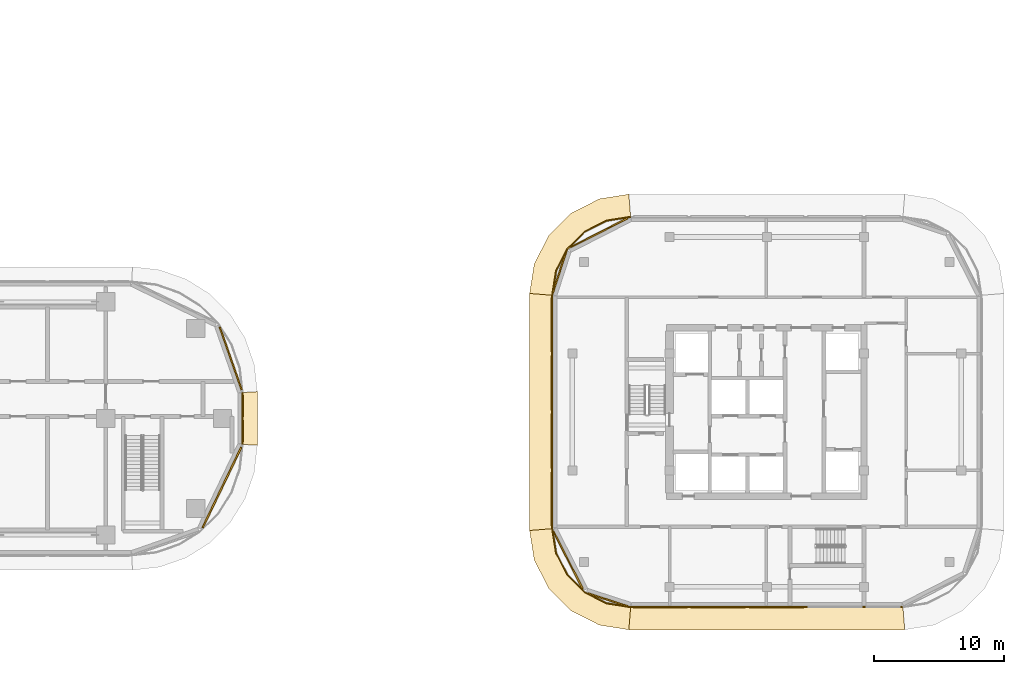
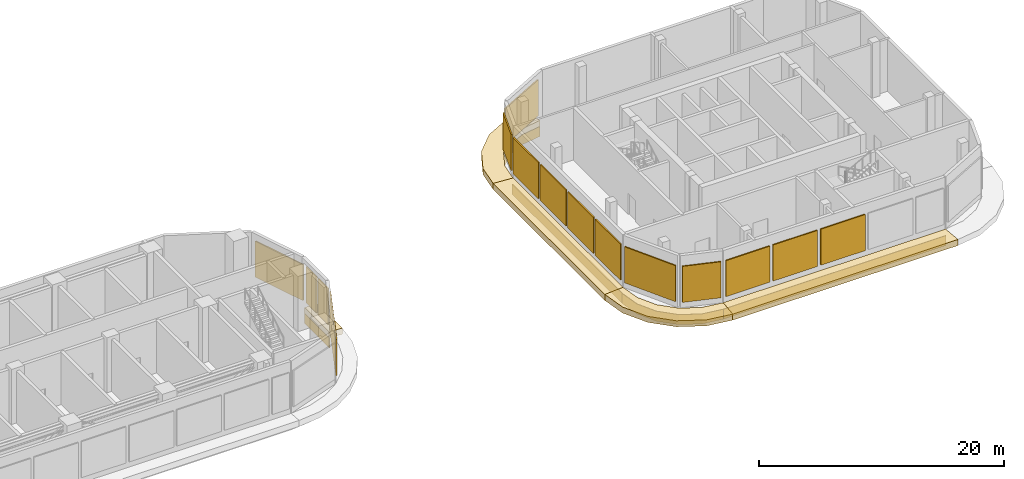
# One storey, part 21 of 23: 15 shading devices, 10 coverings.
"""IFC4 building model written with IfcOpenShell, lengths in metres."""

from ifc_helpers import new_model, si_unit, direction, frame, origin, origin_2d, place, context, subcontext, project, spatial, polyline, rectangle, outline, extrude, material, layer, layer_set, type_object, element, save


model = new_model("IFC4")

# Units and contexts
model_context = context("Model", 3, precision=1e-05, world=origin(), true_north=direction((0.0, 1.0)))
body_context = subcontext(model_context, "Body", "Model", "MODEL_VIEW")
ifc_project = project(units=[si_unit("LENGTHUNIT", "METRE"), si_unit("AREAUNIT", "SQUARE_METRE"), si_unit("VOLUMEUNIT", "CUBIC_METRE"), si_unit("PLANEANGLEUNIT", "RADIAN"), si_unit("MASSUNIT", "GRAM", prefix="KILO")], contexts=[model_context])

# Site, building, storey
site_placement = place(None, origin())
site = spatial("IfcSite", under=ifc_project, at=site_placement, CompositionType="ELEMENT")
building_placement = place(site_placement, origin())
building = spatial("IfcBuilding", under=site, at=building_placement, Name="Ogive Portal Towers", CompositionType="ELEMENT")
storey_placement = place(building_placement, frame((0.0, 0.0, 81.60009765625)))
storey = spatial("IfcBuildingStorey", under=building, at=storey_placement, Name="L19", CompositionType="ELEMENT", Elevation=81.60009765625)

# Shading devices
ifc_material_1 = material(Name="Aluminium 6063 anodised", Category="aluminium")
ifc_layer_1 = layer(ifc_material_1, 0.1201171875)
ifc_layer_set_1 = layer_set([ifc_layer_1], Name="LOUVRE BANK ALUMINIUM")
shading_device_type = type_object("IfcShadingDeviceType", Name="LOUVRE BANK ALUMINIUM", PredefinedType="USERDEFINED", material=ifc_layer_set_1)
shading_device_1_placement = place(storey_placement, frame((94.466064453125, 25.17626953125, 0.599853515625), z_axis=(0.0, 0.0, 1.0), x_axis=(0.433883739113, 0.900968867905, 0.0)))
element("IfcShadingDevice", 1, at=shading_device_1_placement, inside=storey, type_object=shading_device_type, Name="Louvre bank 1", ObjectType="LOUVRE", PredefinedType="USERDEFINED", context=body_context, shape_type="SweptSolid", body=[
    extrude(rectangle(XDim=6.88330078125, YDim=0.1201171875, at=origin_2d()), origin(), (0.0, 0.0, 1.0), 3.60009765625),
])
shading_device_2_placement = place(storey_placement, frame((96.06005859375, 29.5341796875, 0.599853515625), z_axis=(0.0, 0.0, 1.0), x_axis=(0.0, 1.0, 0.0)))
element("IfcShadingDevice", 2, at=shading_device_2_placement, inside=storey, type_object=shading_device_type, Name="Louvre bank 1", ObjectType="LOUVRE", PredefinedType="USERDEFINED", context=body_context, shape_type="SweptSolid", body=[
    extrude(rectangle(XDim=1.631591796875, YDim=0.1201171875, at=origin_2d()), origin(), (0.0, 0.0, 1.0), 3.60009765625),
])
shading_device_3_placement = place(storey_placement, frame((96.06005859375, 31.474609375, 0.599853515625), z_axis=(0.0, 0.0, 1.0), x_axis=(0.0, 1.0, 0.0)))
element("IfcShadingDevice", 3, at=shading_device_3_placement, inside=storey, type_object=shading_device_type, Name="Louvre bank 2", ObjectType="LOUVRE", PredefinedType="USERDEFINED", context=body_context, shape_type="SweptSolid", body=[
    extrude(rectangle(XDim=1.64892578125, YDim=0.1201171875, at=origin_2d()), origin(), (0.0, 0.0, 1.0), 3.60009765625),
])
shading_device_4_placement = place(storey_placement, frame((95.1416015625, 35.135009765625, 0.599853515625), z_axis=(0.0, 0.0, 1.0), x_axis=(-0.33027906196, 0.943883330307, 0.0)))
element("IfcShadingDevice", 4, at=shading_device_4_placement, inside=storey, type_object=shading_device_type, Name="Louvre bank 1", ObjectType="LOUVRE", PredefinedType="USERDEFINED", context=body_context, shape_type="SweptSolid", body=[
    extrude(rectangle(XDim=5.139404296875, YDim=0.1201171875, at=origin_2d()), origin(), (0.0, 0.0, 1.0), 3.60009765625),
])
shading_device_5_placement = place(storey_placement, frame((121.17138671875, 19.569091796875, 0.599853515625), z_axis=(0.0, 0.0, 1.0), x_axis=(0.45399049974, -0.891006524188, 0.0)))
element("IfcShadingDevice", 5, at=shading_device_5_placement, inside=storey, type_object=shading_device_type, Name="Louvre bank 1", ObjectType="LOUVRE", PredefinedType="USERDEFINED", context=body_context, shape_type="SweptSolid", body=[
    extrude(rectangle(XDim=4.95166015625, YDim=0.1201171875, at=origin_2d()), origin(), (0.0, 0.0, 1.0), 3.60009765625),
])
shading_device_6_placement = place(storey_placement, frame((124.254638671875, 16.50390625, 0.599853515625), z_axis=(0.0, 0.0, 1.0), x_axis=(0.951056516295, -0.309016994375, 0.0)))
element("IfcShadingDevice", 6, at=shading_device_6_placement, inside=storey, type_object=shading_device_type, Name="Louvre bank 1", ObjectType="LOUVRE", PredefinedType="USERDEFINED", context=body_context, shape_type="SweptSolid", body=[
    extrude(rectangle(XDim=3.236328125, YDim=0.1201171875, at=origin_2d()), origin(), (0.0, 0.0, 1.0), 3.60009765625),
])
shading_device_7_placement = place(storey_placement, frame((128.273681640625, 15.93994140625, 0.599853515625), z_axis=(0.0, 0.0, 1.0), x_axis=(1.0, 0.0, 0.0)))
element("IfcShadingDevice", 7, at=shading_device_7_placement, inside=storey, type_object=shading_device_type, Name="Louvre bank 1", ObjectType="LOUVRE", PredefinedType="USERDEFINED", context=body_context, shape_type="SweptSolid", body=[
    extrude(rectangle(XDim=4.152587890625, YDim=0.1201171875, at=origin_2d()), origin(), (0.0, 0.0, 1.0), 3.60009765625),
])
for number, where, z_axis, x_axis, name in (
    (8, (132.75, 15.93994140625, 0.599853515625), (0.0, 0.0, 1.0), (1.0, 0.0, 0.0), "Louvre bank 2"),
    (9, (137.25, 15.93994140625, 0.599853515625), (0.0, 0.0, 1.0), (1.0, 0.0, 0.0), "Louvre bank 3"),
):
    element("IfcShadingDevice", number, at=place(storey_placement, frame(where, z_axis=z_axis, x_axis=x_axis)), inside=storey, type_object=shading_device_type, Name=name, ObjectType="LOUVRE", PredefinedType="USERDEFINED", context=body_context, shape_type="SweptSolid", body=[
        extrude(rectangle(XDim=4.199951171875, YDim=0.1201171875, at=origin_2d()), origin(), (0.0, 0.0, 1.0), 3.60009765625),
    ])
shading_device_8_placement = place(storey_placement, frame((123.569091796875, 44.82861328125, 0.599853515625), z_axis=(0.0, 0.0, 1.0), x_axis=(-0.891006524188, -0.45399049974, 0.0)))
element("IfcShadingDevice", 10, at=shading_device_8_placement, inside=storey, type_object=shading_device_type, Name="Louvre bank 1", ObjectType="LOUVRE", PredefinedType="USERDEFINED", context=body_context, shape_type="SweptSolid", body=[
    extrude(rectangle(XDim=4.95166015625, YDim=0.1201171875, at=origin_2d()), origin(), (0.0, 0.0, 1.0), 3.60009765625),
])
shading_device_9_placement = place(storey_placement, frame((120.50390625, 41.745361328125, 0.599853515625), z_axis=(0.0, 0.0, 1.0), x_axis=(-0.309016994375, -0.951056516295, 0.0)))
element("IfcShadingDevice", 11, at=shading_device_9_placement, inside=storey, type_object=shading_device_type, Name="Louvre bank 1", ObjectType="LOUVRE", PredefinedType="USERDEFINED", context=body_context, shape_type="SweptSolid", body=[
    extrude(rectangle(XDim=3.236328125, YDim=0.1201171875, at=origin_2d()), origin(), (0.0, 0.0, 1.0), 3.60009765625),
])
shading_device_10_placement = place(storey_placement, frame((119.93994140625, 37.726318359375, 0.599853515625), z_axis=(0.0, 0.0, 1.0), x_axis=(0.0, -1.0, 0.0)))
element("IfcShadingDevice", 12, at=shading_device_10_placement, inside=storey, type_object=shading_device_type, Name="Louvre bank 1", ObjectType="LOUVRE", PredefinedType="USERDEFINED", context=body_context, shape_type="SweptSolid", body=[
    extrude(rectangle(XDim=4.152587890625, YDim=0.1201171875, at=origin_2d()), origin(), (0.0, 0.0, 1.0), 3.60009765625),
])
for number, where, z_axis, x_axis, name in (
    (13, (119.93994140625, 33.25, 0.599853515625), (0.0, 0.0, 1.0), (0.0, -1.0, 0.0), "Louvre bank 2"),
    (14, (119.93994140625, 28.75, 0.599853515625), (0.0, 0.0, 1.0), (0.0, -1.0, 0.0), "Louvre bank 3"),
):
    element("IfcShadingDevice", number, at=place(storey_placement, frame(where, z_axis=z_axis, x_axis=x_axis)), inside=storey, type_object=shading_device_type, Name=name, ObjectType="LOUVRE", PredefinedType="USERDEFINED", context=body_context, shape_type="SweptSolid", body=[
        extrude(rectangle(XDim=4.199951171875, YDim=0.1201171875, at=origin_2d()), origin(), (0.0, 0.0, 1.0), 3.60009765625),
    ])
shading_device_11_placement = place(storey_placement, frame((119.93994140625, 24.2861328125, 0.599853515625), z_axis=(0.0, 0.0, 1.0), x_axis=(0.0, -1.0, 0.0)))
element("IfcShadingDevice", 15, at=shading_device_11_placement, inside=storey, type_object=shading_device_type, Name="Louvre bank 4", ObjectType="LOUVRE", PredefinedType="USERDEFINED", context=body_context, shape_type="SweptSolid", body=[
    extrude(rectangle(XDim=4.1279296875, YDim=0.1201171875, at=origin_2d()), origin(), (0.0, 0.0, 1.0), 3.60009765625),
])

# Coverings
ifc_material_2 = material(Name="Limestone cladding on lightweight block wall", Category="masonry")
ifc_layer_2 = layer(ifc_material_2, 0.080078125)
ifc_layer_set_2 = layer_set([ifc_layer_2], Name="STONE SPANDREL 80")
covering_type_1 = type_object("IfcCoveringType", Name="STONE SPANDREL 80", PredefinedType="CLADDING", material=ifc_layer_set_2)
covering_1_placement = place(storey_placement, frame((0.0, 0.0, -1.60009765625)))
element("IfcCovering", 16, at=covering_1_placement, inside=storey, type_object=covering_type_1, Name="Stone spandrel A1-F07", PredefinedType="CLADDING", context=body_context, shape_type="SweptSolid", body=[
    extrude(outline(polyline([(96.0, 28.5), (96.0, 32.5), (96.080078125, 32.50439453125), (96.080078125, 28.49560546875), (96.0, 28.5)])), origin(), (0.0, 0.0, 1.0), 1.0),
])
covering_2_placement = place(storey_placement, frame((0.0, 0.0, -1.60009765625)))
element("IfcCovering", 17, at=covering_2_placement, inside=storey, type_object=covering_type_1, Name="Stone spandrel B1-F01", PredefinedType="CLADDING", context=body_context, shape_type="SweptSolid", body=[
    extrude(outline(polyline([(120.0, 22.0), (120.293701171875, 20.14599609375), (121.14599609375, 18.473388671875), (122.473388671875, 17.14599609375), (124.14599609375, 16.293701171875), (126.0, 16.0), (125.99365234375, 15.919921875), (124.120849609375, 16.216552734375), (122.42578125, 17.080322265625), (121.080322265625, 18.42578125), (120.216552734375, 20.120849609375), (119.919921875, 21.99365234375), (120.0, 22.0)])), origin(), (0.0, 0.0, 1.0), 1.0),
])
covering_3_placement = place(storey_placement, frame((0.0, 0.0, -1.60009765625)))
element("IfcCovering", 18, at=covering_3_placement, inside=storey, type_object=covering_type_1, Name="Stone spandrel B1-F02", PredefinedType="CLADDING", context=body_context, shape_type="SweptSolid", body=[
    extrude(outline(polyline([(126.0, 16.0), (147.0, 16.0), (147.00634765625, 15.919921875), (125.99365234375, 15.919921875), (126.0, 16.0)])), origin(), (0.0, 0.0, 1.0), 1.0),
])
covering_4_placement = place(storey_placement, frame((0.0, 0.0, -1.60009765625)))
element("IfcCovering", 19, at=covering_4_placement, inside=storey, type_object=covering_type_1, Name="Stone spandrel B1-F07", PredefinedType="CLADDING", context=body_context, shape_type="SweptSolid", body=[
    extrude(outline(polyline([(126.0, 46.0), (124.14599609375, 45.706298828125), (122.473388671875, 44.85400390625), (121.14599609375, 43.526611328125), (120.293701171875, 41.85400390625), (120.0, 40.0), (119.919921875, 40.00634765625), (120.216552734375, 41.879150390625), (121.080322265625, 43.57421875), (122.42578125, 44.919677734375), (124.120849609375, 45.783447265625), (125.99365234375, 46.080078125), (126.0, 46.0)])), origin(), (0.0, 0.0, 1.0), 1.0),
])
covering_5_placement = place(storey_placement, frame((0.0, 0.0, -1.60009765625)))
element("IfcCovering", 20, at=covering_5_placement, inside=storey, type_object=covering_type_1, Name="Stone spandrel B1-F08", PredefinedType="CLADDING", context=body_context, shape_type="SweptSolid", body=[
    extrude(outline(polyline([(120.0, 40.0), (120.0, 22.0), (119.919921875, 21.99365234375), (119.919921875, 40.00634765625), (120.0, 40.0)])), origin(), (0.0, 0.0, 1.0), 1.0),
])
ifc_layer_3 = layer(ifc_material_2, 0.60009765625)
ifc_layer_set_3 = layer_set([ifc_layer_3], Name="SUNSHADE LIP 600")
covering_type_2 = type_object("IfcCoveringType", Name="SUNSHADE LIP 600", PredefinedType="CLADDING", material=ifc_layer_set_3)
covering_6_placement = place(storey_placement, frame((0.0, 0.0, -0.60009765625)))
element("IfcCovering", 21, at=covering_6_placement, inside=storey, type_object=covering_type_2, Name="Sunshade lip A1-F07", PredefinedType="CLADDING", context=body_context, shape_type="SweptSolid", body=[
    extrude(outline(polyline([(96.0, 28.5), (96.0, 32.5), (97.199951171875, 32.5673828125), (97.199951171875, 28.4326171875), (96.0, 28.5)])), origin(), (0.0, 0.0, 1.0), 0.60009765625),
])
covering_7_placement = place(storey_placement, frame((0.0, 0.0, -0.60009765625)))
element("IfcCovering", 22, at=covering_7_placement, inside=storey, type_object=covering_type_2, Name="Sunshade lip B1-F01", PredefinedType="CLADDING", context=body_context, shape_type="SweptSolid", body=[
    extrude(outline(polyline([(120.0, 22.0), (120.293701171875, 20.14599609375), (121.14599609375, 18.473388671875), (122.473388671875, 17.14599609375), (124.14599609375, 16.293701171875), (126.0, 16.0), (125.8583984375, 14.199951171875), (123.582763671875, 14.560302734375), (121.402099609375, 15.671630859375), (119.671630859375, 17.402099609375), (118.560302734375, 19.582763671875), (118.199951171875, 21.8583984375), (120.0, 22.0)])), origin(), (0.0, 0.0, 1.0), 0.60009765625),
])
covering_8_placement = place(storey_placement, frame((0.0, 0.0, -0.60009765625)))
element("IfcCovering", 23, at=covering_8_placement, inside=storey, type_object=covering_type_2, Name="Sunshade lip B1-F02", PredefinedType="CLADDING", context=body_context, shape_type="SweptSolid", body=[
    extrude(outline(polyline([(126.0, 16.0), (147.0, 16.0), (147.1416015625, 14.199951171875), (125.8583984375, 14.199951171875), (126.0, 16.0)])), origin(), (0.0, 0.0, 1.0), 0.60009765625),
])
covering_9_placement = place(storey_placement, frame((0.0, 0.0, -0.60009765625)))
element("IfcCovering", 24, at=covering_9_placement, inside=storey, type_object=covering_type_2, Name="Sunshade lip B1-F07", PredefinedType="CLADDING", context=body_context, shape_type="SweptSolid", body=[
    extrude(outline(polyline([(126.0, 46.0), (124.14599609375, 45.706298828125), (122.473388671875, 44.85400390625), (121.14599609375, 43.526611328125), (120.293701171875, 41.85400390625), (120.0, 40.0), (118.199951171875, 40.1416015625), (118.560302734375, 42.417236328125), (119.671630859375, 44.597900390625), (121.402099609375, 46.328369140625), (123.582763671875, 47.439697265625), (125.8583984375, 47.800048828125), (126.0, 46.0)])), origin(), (0.0, 0.0, 1.0), 0.60009765625),
])
covering_10_placement = place(storey_placement, frame((0.0, 0.0, -0.60009765625)))
element("IfcCovering", 25, at=covering_10_placement, inside=storey, type_object=covering_type_2, Name="Sunshade lip B1-F08", PredefinedType="CLADDING", context=body_context, shape_type="SweptSolid", body=[
    extrude(outline(polyline([(120.0, 40.0), (120.0, 22.0), (118.199951171875, 21.8583984375), (118.199951171875, 40.1416015625), (120.0, 40.0)])), origin(), (0.0, 0.0, 1.0), 0.60009765625),
])

save(model, "model.ifc")
